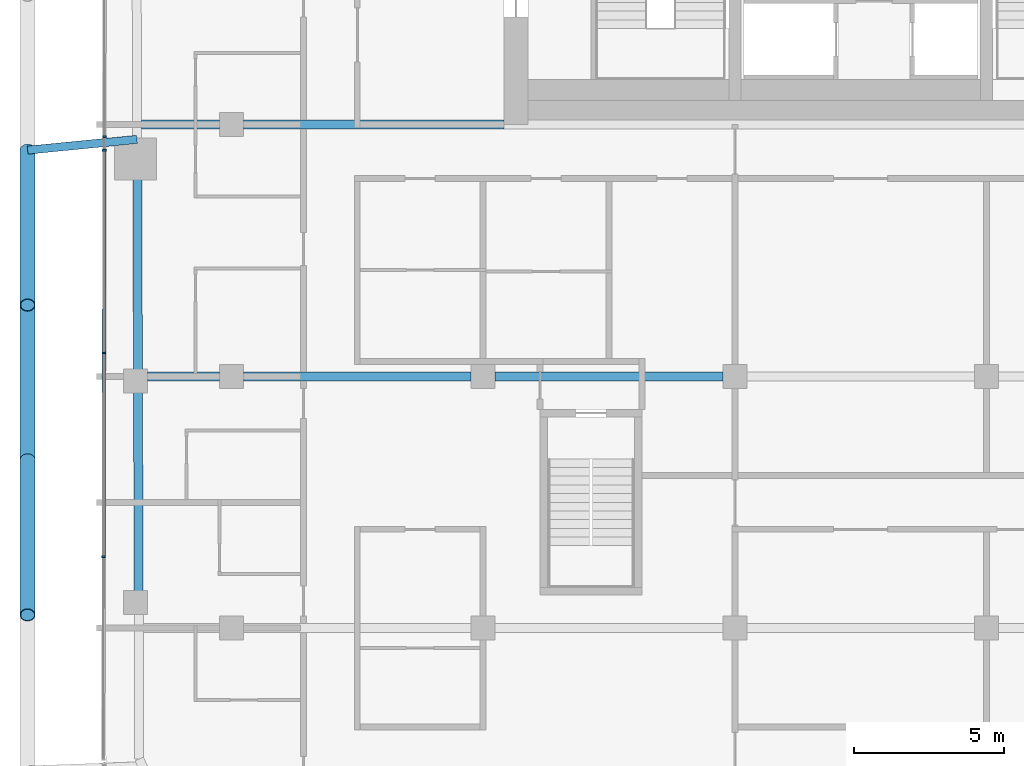
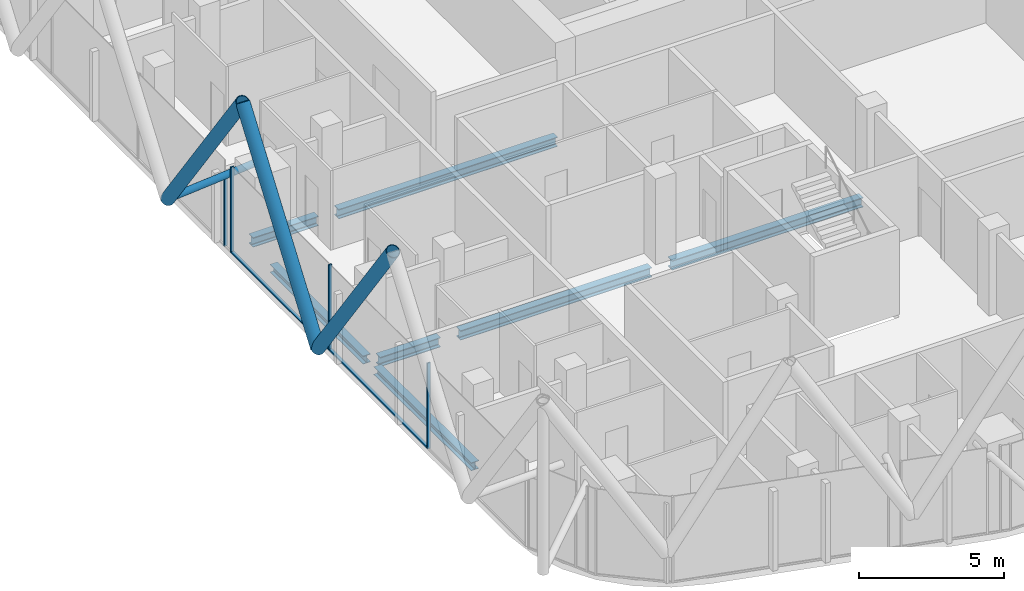
# One storey, part 4 of 31: 10 members, 7 beams, 2 elements without a shape of their own.
"""IFC4 building model written with IfcOpenShell, lengths in metres."""

from ifc_helpers import new_model, si_unit, direction, frame, origin, origin_2d, place, context, subcontext, project, spatial, rectangle, hollow_circle, i_section, extrude, material, layer, layer_set, material_profile, profile_set, type_object, element, aggregate, save


model = new_model("IFC4")

# Units and contexts
model_context = context("Model", 3, precision=1e-05, world=origin(), true_north=direction((0.0, 1.0)))
body_context = subcontext(model_context, "Body", "Model", "MODEL_VIEW")
ifc_project = project(units=[si_unit("LENGTHUNIT", "METRE"), si_unit("AREAUNIT", "SQUARE_METRE"), si_unit("VOLUMEUNIT", "CUBIC_METRE"), si_unit("PLANEANGLEUNIT", "RADIAN"), si_unit("MASSUNIT", "GRAM", prefix="KILO")], contexts=[model_context])

# Site, building, storey
site_placement = place(None, origin())
site = spatial("IfcSite", under=ifc_project, at=site_placement, CompositionType="ELEMENT")
building_placement = place(site_placement, origin())
building = spatial("IfcBuilding", under=site, at=building_placement, Name="Marenta Gate Hotel Tower", CompositionType="ELEMENT")
storey_placement = place(building_placement, frame((0.0, 0.0, 205.699951171875)))
storey = spatial("IfcBuildingStorey", under=building, at=storey_placement, Name="L47", CompositionType="ELEMENT", Elevation=205.699951171875)

# Members
ifc_material_1 = material(Name="Steel S355J2W", Category="steel")
ifc_material_profile_1 = material_profile(ifc_material_1, hollow_circle(Radius=0.25390625, WallThickness=0.02490234375, at=origin_2d()), Name="CHS 508x25")
ifc_profile_set_1 = profile_set([ifc_material_profile_1], Name="Steel S355J2W")
member_type_1 = type_object("IfcMemberType", Name="Diagrid diagonal Z3 CHS 508x25", PredefinedType="BRACE", material=ifc_profile_set_1)
member_1_placement = place(storey_placement, frame((-27.800048828125, -11.190185546875, 3.14013671875), z_axis=(0.0, -0.583260841117, 0.812284919975), x_axis=(1.0, 0.0, 0.0)))
element("IfcMember", 1, at=member_1_placement, inside=storey, type_object=member_type_1, Name="L47-DG-27", PredefinedType="BRACE", context=body_context, shape_type="SweptSolid", body=[
    extrude(hollow_circle(Radius=0.25390625, WallThickness=0.02490234375, at=origin_2d()), origin(), (0.0, 0.0, 1.0), 8.86376953125),
])
member_2_placement = place(storey_placement, frame((-27.800048828125, -11.190185546875, 3.14013671875), z_axis=(0.0, 0.583279014058, 0.812271870595), x_axis=(-1.0, 0.0, 0.0)))
element("IfcMember", 2, at=member_2_placement, inside=storey, type_object=member_type_1, Name="L47-DG-28", PredefinedType="BRACE", context=body_context, shape_type="SweptSolid", body=[
    extrude(hollow_circle(Radius=0.25390625, WallThickness=0.02490234375, at=origin_2d()), origin(), (0.0, 0.0, 1.0), 8.864013671875),
])
member_3_placement = place(storey_placement, frame((-27.800048828125, -0.85009765625, 3.14013671875), z_axis=(0.0, -0.583260841117, 0.812284919975), x_axis=(1.0, 0.0, 0.0)))
element("IfcMember", 3, at=member_3_placement, inside=storey, type_object=member_type_1, Name="L47-DG-29", PredefinedType="BRACE", context=body_context, shape_type="SweptSolid", body=[
    extrude(hollow_circle(Radius=0.25390625, WallThickness=0.02490234375, at=origin_2d()), origin(), (0.0, 0.0, 1.0), 8.86376953125),
])

# Beams
ifc_material_2 = material(Name="Steel S355", Category="steel")
ifc_material_profile_2 = material_profile(ifc_material_2, i_section(OverallWidth=0.300048828125, OverallDepth=0.340087890625, WebThickness=0.011962890625, FlangeThickness=0.021484375, FilletRadius=0.027099609375, at=origin_2d()), Name="HEB 340")
ifc_profile_set_2 = profile_set([ifc_material_profile_2], Name="Steel S355")
beam_type_1 = type_object("IfcBeamType", Name="Edge beam HEB 340", PredefinedType="SPANDREL", material=ifc_profile_set_2)
beam_1_placement = place(storey_placement, frame((-24.09375, -15.591796875, -0.429931640625), z_axis=(-0.00332539729, 0.999994470851, 0.0), x_axis=(-0.999994470851, -0.00332539729, 0.0)))
element("IfcBeam", 4, at=beam_1_placement, inside=storey, type_object=beam_type_1, Name="L47-EB-6", PredefinedType="SPANDREL", context=body_context, shape_type="SweptSolid", body=[
    extrude(i_section(OverallWidth=0.300048828125, OverallDepth=0.340087890625, WebThickness=0.011962890625, FlangeThickness=0.021484375, FilletRadius=0.027099609375, at=origin_2d()), origin(), (0.0, 0.0, 1.0), 6.680908203125),
])
beam_2_placement = place(storey_placement, frame((-24.118408203125, -8.19091796875, -0.429931640625), z_axis=(-0.003328723523, 0.999994459785, 0.0), x_axis=(-0.999994459785, -0.003328723523, 0.0)))
element("IfcBeam", 5, at=beam_2_placement, inside=storey, type_object=beam_type_1, Name="L47-EB-7", PredefinedType="SPANDREL", context=body_context, shape_type="SweptSolid", body=[
    extrude(i_section(OverallWidth=0.300048828125, OverallDepth=0.340087890625, WebThickness=0.011962890625, FlangeThickness=0.021484375, FilletRadius=0.027099609375, at=origin_2d()), origin(), (0.0, 0.0, 1.0), 6.380859375),
])

# Member
ifc_material_3 = material(Name="Steel S355J2W", Category="steel")
ifc_material_profile_3 = material_profile(ifc_material_3, hollow_circle(Radius=0.136474609375, WallThickness=0.012451171875, at=origin_2d()), Name="CHS 273x12.5")
ifc_profile_set_3 = profile_set([ifc_material_profile_3], Name="Steel S355J2W")
member_type_2 = type_object("IfcMemberType", Name="Floor tie CHS 273x12.5", PredefinedType="STRUT", material=ifc_profile_set_3)
member_4_placement = place(storey_placement, frame((-27.800048828125, -0.85009765625, 3.14013671875), z_axis=(0.995181771772, 0.098047137303, 0.0), x_axis=(-0.098047137303, 0.995181771772, 0.0)))
element("IfcMember", 6, at=member_4_placement, inside=storey, type_object=member_type_2, Name="L47-DR-20", PredefinedType="STRUT", context=body_context, shape_type="SweptSolid", body=[
    extrude(hollow_circle(Radius=0.136474609375, WallThickness=0.012451171875, at=origin_2d()), origin(), (0.0, 0.0, 1.0), 3.667724609375),
])

# Beams
ifc_material_4 = material(Name="Steel S355", Category="steel")
ifc_material_profile_4 = material_profile(ifc_material_4, i_section(OverallWidth=0.300048828125, OverallDepth=0.39990234375, WebThickness=0.013427734375, FlangeThickness=0.02392578125, FilletRadius=0.027099609375, at=origin_2d()), Name="HEB 400")
ifc_profile_set_4 = profile_set([ifc_material_profile_4], Name="Steel S355")
beam_type_2 = type_object("IfcBeamType", Name="Girder HEB 400", PredefinedType="BEAM", material=ifc_profile_set_4)
beam_3_placement = place(storey_placement, frame((-23.800048828125, -8.39990234375, -0.4599609375), z_axis=(1.0, 0.0, 0.0), x_axis=(0.0, 1.0, 0.0)))
element("IfcBeam", 7, at=beam_3_placement, inside=storey, type_object=beam_type_2, Name="L47-GD-13", PredefinedType="BEAM", context=body_context, shape_type="SweptSolid", body=[
    extrude(i_section(OverallWidth=0.300048828125, OverallDepth=0.39990234375, WebThickness=0.013427734375, FlangeThickness=0.02392578125, FilletRadius=0.027099609375, at=origin_2d()), origin(), (0.0, 0.0, 1.0), 2.400146484375),
])
beam_4_placement = place(storey_placement, frame((-20.60009765625, -8.39990234375, -0.4599609375), z_axis=(1.0, 0.0, 0.0), x_axis=(0.0, 1.0, 0.0)))
element("IfcBeam", 8, at=beam_4_placement, inside=storey, type_object=beam_type_2, Name="L47-GD-14", PredefinedType="BEAM", context=body_context, shape_type="SweptSolid", body=[
    extrude(i_section(OverallWidth=0.300048828125, OverallDepth=0.39990234375, WebThickness=0.013427734375, FlangeThickness=0.02392578125, FilletRadius=0.027099609375, at=origin_2d()), origin(), (0.0, 0.0, 1.0), 7.60009765625),
])
beam_5_placement = place(storey_placement, frame((-12.199951171875, -8.39990234375, -0.4599609375), z_axis=(1.0, 0.0, 0.0), x_axis=(0.0, 1.0, 0.0)))
element("IfcBeam", 9, at=beam_5_placement, inside=storey, type_object=beam_type_2, Name="L47-GD-15", PredefinedType="BEAM", context=body_context, shape_type="SweptSolid", body=[
    extrude(i_section(OverallWidth=0.300048828125, OverallDepth=0.39990234375, WebThickness=0.013427734375, FlangeThickness=0.02392578125, FilletRadius=0.027099609375, at=origin_2d()), origin(), (0.0, 0.0, 1.0), 7.599853515625),
])
beam_6_placement = place(storey_placement, frame((-23.99560546875, 0.0, -0.4599609375), z_axis=(1.0, 0.0, 0.0), x_axis=(0.0, 1.0, 0.0)))
element("IfcBeam", 10, at=beam_6_placement, inside=storey, type_object=beam_type_2, Name="L47-GD-20", PredefinedType="BEAM", context=body_context, shape_type="SweptSolid", body=[
    extrude(i_section(OverallWidth=0.300048828125, OverallDepth=0.39990234375, WebThickness=0.013427734375, FlangeThickness=0.02392578125, FilletRadius=0.027099609375, at=origin_2d()), origin(), (0.0, 0.0, 1.0), 2.595703125),
])
beam_7_placement = place(storey_placement, frame((-20.60009765625, 0.0, -0.4599609375), z_axis=(1.0, 0.0, 0.0), x_axis=(0.0, 1.0, 0.0)))
element("IfcBeam", 11, at=beam_7_placement, inside=storey, type_object=beam_type_2, Name="L47-GD-21", PredefinedType="BEAM", context=body_context, shape_type="SweptSolid", body=[
    extrude(i_section(OverallWidth=0.300048828125, OverallDepth=0.39990234375, WebThickness=0.013427734375, FlangeThickness=0.02392578125, FilletRadius=0.027099609375, at=origin_2d()), origin(), (0.0, 0.0, 1.0), 8.7001953125),
])

# Curtain wall, member
ifc_material_5 = material(Name="Tinted insulated glass in bronze anodised frame", Category="glass")
ifc_layer = layer(ifc_material_5, 0.1201171875)
ifc_layer_set = layer_set([ifc_layer], Name="Tinted insulated glass in bronze anodised frame")
curtain_wall_type = type_object("IfcCurtainWallType", Name="Tower unitised curtain wall CW1", PredefinedType="NOTDEFINED", material=ifc_layer_set)
curtain_wall_1_placement = place(storey_placement, origin())
curtain_wall_1 = element("IfcCurtainWall", 12, at=curtain_wall_1_placement, inside=storey, type_object=curtain_wall_type, Name="CW1 run G07", PredefinedType="NOTDEFINED")
ifc_material_6 = material(Name="Bronze anodised aluminium", Category="aluminium")
ifc_material_profile_5 = material_profile(ifc_material_6, rectangle(XDim=0.1201171875, YDim=0.06005859375, at=origin_2d()), Name="Mullion CW1 60x120 bronze anodised aluminium")
ifc_profile_set_5 = profile_set([ifc_material_profile_5], Name="Bronze anodised aluminium")
member_type_3 = type_object("IfcMemberType", Name="Mullion CW1 60x120 bronze anodised aluminium", PredefinedType="MULLION", material=ifc_profile_set_5)
member_5_placement = place(storey_placement, frame((-25.240234375, -0.400390625, 0.0), z_axis=(0.0, 0.0, 1.0), x_axis=(0.99999881761, -0.001537783778, 0.0)))
member_5 = element("IfcMember", 13, at=member_5_placement, type_object=member_type_3, Name="CW1 mullion 1", PredefinedType="MULLION", context=body_context, shape_type="SweptSolid", body=[
    extrude(rectangle(XDim=0.1201171875, YDim=0.06005859375, at=origin_2d()), origin(), (0.0, 0.0, 1.0), 3.00048828125),
])
aggregate(curtain_wall_1, [member_5])

# Curtain wall, members
curtain_wall_2_placement = place(storey_placement, origin())
curtain_wall_2 = element("IfcCurtainWall", 14, at=curtain_wall_2_placement, inside=storey, type_object=curtain_wall_type, Name="CW1 run G08", PredefinedType="NOTDEFINED")
member_6_placement = place(storey_placement, frame((-25.240966796875, -0.855712890625, 0.0), z_axis=(0.0, 0.0, 1.0), x_axis=(0.999998775932, -0.001564651623, 0.0)))
member_6 = element("IfcMember", 15, at=member_6_placement, type_object=member_type_3, Name="CW1 mullion 1", PredefinedType="MULLION", context=body_context, shape_type="SweptSolid", body=[
    extrude(rectangle(XDim=0.1201171875, YDim=0.06005859375, at=origin_2d()), origin(), (0.0, 0.0, 1.0), 3.60009765625),
])
member_7_placement = place(storey_placement, frame((-25.251708984375, -7.62158203125, 0.0), z_axis=(0.0, 0.0, 1.0), x_axis=(0.999998775932, -0.001564651623, 0.0)))
member_7 = element("IfcMember", 16, at=member_7_placement, type_object=member_type_3, Name="CW1 mullion 2", PredefinedType="MULLION", context=body_context, shape_type="SweptSolid", body=[
    extrude(rectangle(XDim=0.1201171875, YDim=0.06005859375, at=origin_2d()), origin(), (0.0, 0.0, 1.0), 3.60009765625),
])
member_8_placement = place(storey_placement, frame((-25.26220703125, -14.41748046875, 0.0), z_axis=(0.0, 0.0, 1.0), x_axis=(0.999998775932, -0.001564651623, 0.0)))
member_8 = element("IfcMember", 17, at=member_8_placement, type_object=member_type_3, Name="CW1 mullion 3", PredefinedType="MULLION", context=body_context, shape_type="SweptSolid", body=[
    extrude(rectangle(XDim=0.1201171875, YDim=0.06005859375, at=origin_2d()), origin(), (0.0, 0.0, 1.0), 3.60009765625),
])
ifc_material_7 = material(Name="Bronze anodised aluminium", Category="aluminium")
ifc_material_profile_6 = material_profile(ifc_material_7, rectangle(XDim=0.1201171875, YDim=0.06005859375, at=origin_2d()), Name="Transom CW1 60x120 bronze anodised aluminium")
ifc_profile_set_6 = profile_set([ifc_material_profile_6], Name="Bronze anodised aluminium")
member_type_4 = type_object("IfcMemberType", Name="Transom CW1 60x120 bronze anodised aluminium", PredefinedType="USERDEFINED", material=ifc_profile_set_6)
member_9_placement = place(storey_placement, frame((-25.2412109375, -0.885498046875, 0.030029296875), z_axis=(-0.0015290502, -0.999998831002, 0.0), x_axis=(0.999998831002, -0.0015290502, 0.0)))
member_9 = element("IfcMember", 18, at=member_9_placement, type_object=member_type_4, Name="CW1 transom 1.1", ObjectType="TRANSOM", PredefinedType="USERDEFINED", context=body_context, shape_type="SweptSolid", body=[
    extrude(rectangle(XDim=0.1201171875, YDim=0.06005859375, at=origin_2d()), origin(), (0.0, 0.0, 1.0), 6.7060546875),
])
member_10_placement = place(storey_placement, frame((-25.251708984375, -7.651611328125, 0.030029296875), z_axis=(-0.001558533808, -0.999998785485, 0.0), x_axis=(0.999998785485, -0.001558533808, 0.0)))
member_10 = element("IfcMember", 19, at=member_10_placement, type_object=member_type_4, Name="CW1 transom 2.1", ObjectType="TRANSOM", PredefinedType="USERDEFINED", context=body_context, shape_type="SweptSolid", body=[
    extrude(rectangle(XDim=0.1201171875, YDim=0.06005859375, at=origin_2d()), origin(), (0.0, 0.0, 1.0), 6.73583984375),
])
aggregate(curtain_wall_2, [member_6, member_7, member_8, member_9, member_10])

save(model, "model.ifc")
